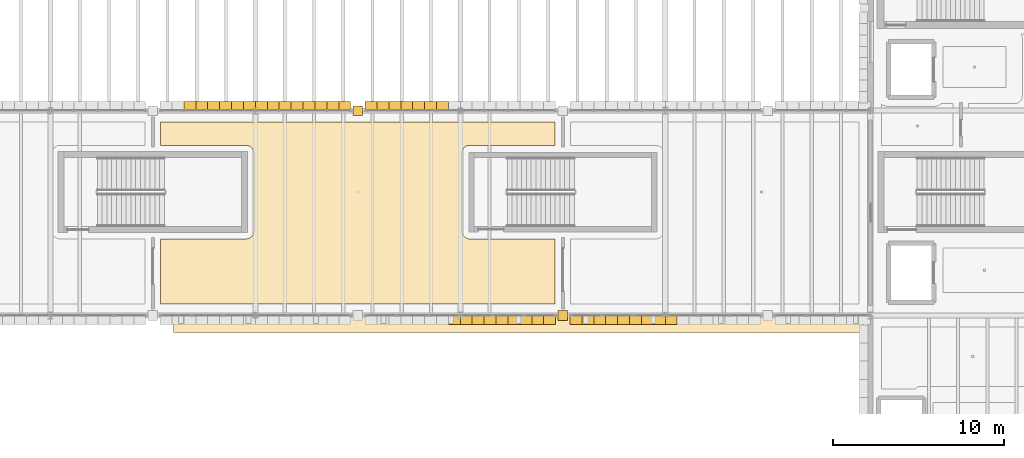
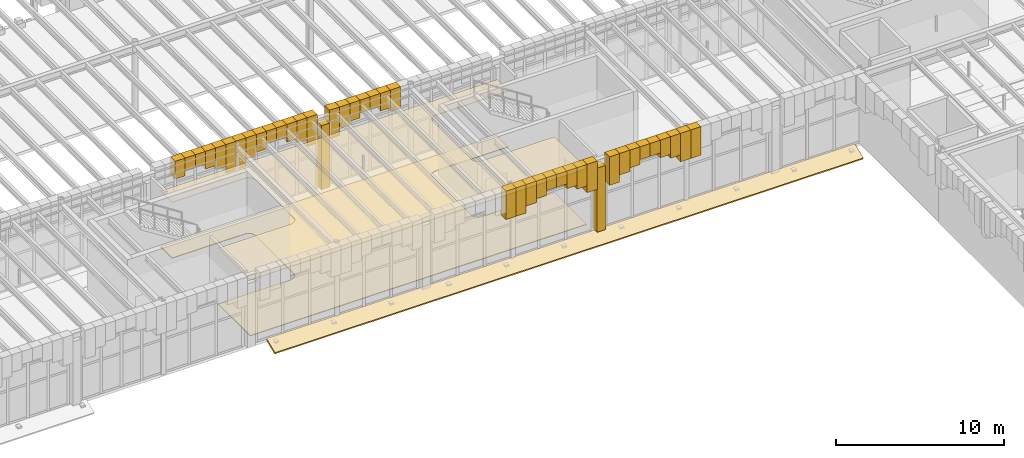
# One storey, part 85 of 100: 44 coverings.
"""IFC4 building model written with IfcOpenShell, lengths in metres."""

from ifc_helpers import new_model, si_unit, direction, frame, origin, place, context, subcontext, project, spatial, polyline, outline, extrude, material, layer, layer_set, type_object, element, save


model = new_model("IFC4")

# Units and contexts
model_context = context("Model", 3, precision=1e-05, world=origin(), true_north=direction((0.0, 1.0)))
body_context = subcontext(model_context, "Body", "Model", "MODEL_VIEW")
ifc_project = project(units=[si_unit("LENGTHUNIT", "METRE"), si_unit("AREAUNIT", "SQUARE_METRE"), si_unit("VOLUMEUNIT", "CUBIC_METRE"), si_unit("PLANEANGLEUNIT", "RADIAN"), si_unit("MASSUNIT", "GRAM", prefix="KILO")], contexts=[model_context])

# Site, building, storey
site_placement = place(None, origin())
site = spatial("IfcSite", under=ifc_project, at=site_placement, CompositionType="ELEMENT")
building_placement = place(site_placement, origin())
building = spatial("IfcBuilding", under=site, at=building_placement, Name="Zlatogorsky Bluff Art Gallery", CompositionType="ELEMENT")
storey_placement = place(building_placement, frame((0.0, 0.0, 5.39990234375)))
storey = spatial("IfcBuildingStorey", under=building, at=storey_placement, Name="L01", CompositionType="ELEMENT", Elevation=5.39990234375)

# Coverings
ifc_material_1 = material(Name="Perforated Gypsum Acoustic Board", Category="gypsum")
ifc_layer_1 = layer(ifc_material_1, 0.0400390625)
ifc_layer_set_1 = layer_set([ifc_layer_1], Name="Acoustic Gallery Ceiling CLG-01")
covering_type_1 = type_object("IfcCoveringType", Name="Acoustic Gallery Ceiling CLG-01", PredefinedType="CEILING", material=ifc_layer_set_1)
covering_1_placement = place(storey_placement, frame((0.0, 0.0, 4.050048828125)))
element("IfcCovering", 1, at=covering_1_placement, inside=storey, type_object=covering_type_1, Name="Sculpture Terrace Gallery acoustic ceiling", PredefinedType="CEILING", context=body_context, shape_type="SweptSolid", body=[
    extrude(outline(polyline([(78.449951171875, 88.489990234375), (83.450927734375, 88.489990234375), (83.495361328125, 88.4921875), (83.539306640625, 88.498779296875), (83.540283203125, 88.498779296875), (83.549560546875, 88.5009765625), (83.550537109375, 88.501220703125), (83.59375, 88.512939453125), (83.6357421875, 88.529296875), (83.637451171875, 88.530029296875), (83.673095703125, 88.5478515625), (83.674072265625, 88.54833984375), (83.706298828125, 88.568115234375), (83.73681640625, 88.59033203125), (83.73828125, 88.591552734375), (83.775390625, 88.624755859375), (83.80859375, 88.661865234375), (83.809814453125, 88.663330078125), (83.83203125, 88.693603515625), (83.851806640625, 88.725830078125), (83.852294921875, 88.726806640625), (83.8701171875, 88.762451171875), (83.870849609375, 88.764404296875), (83.886962890625, 88.80615234375), (83.89892578125, 88.849609375), (83.899169921875, 88.850341796875), (83.901123046875, 88.859619140625), (83.9013671875, 88.860595703125), (83.90771484375, 88.90478515625), (83.909912109375, 88.948974609375), (83.909912109375, 93.5009765625), (83.90771484375, 93.54541015625), (83.9013671875, 93.58935546875), (83.901123046875, 93.59033203125), (83.899169921875, 93.599609375), (83.89892578125, 93.6005859375), (83.886962890625, 93.643798828125), (83.870849609375, 93.685791015625), (83.8701171875, 93.6875), (83.852294921875, 93.72314453125), (83.851806640625, 93.72412109375), (83.83203125, 93.75634765625), (83.809814453125, 93.78662109375), (83.80859375, 93.7880859375), (83.775390625, 93.8251953125), (83.73828125, 93.8583984375), (83.73681640625, 93.859619140625), (83.706298828125, 93.882080078125), (83.674072265625, 93.901611328125), (83.673095703125, 93.902099609375), (83.637451171875, 93.919921875), (83.63671875, 93.92041015625), (83.6357421875, 93.9208984375), (83.59375, 93.93701171875), (83.550537109375, 93.948974609375), (83.549560546875, 93.94921875), (83.540283203125, 93.951171875), (83.539306640625, 93.951416015625), (83.495361328125, 93.957763671875), (83.450927734375, 93.9599609375), (78.449951171875, 93.9599609375), (78.449951171875, 95.330078125), (101.550048828125, 95.330078125), (101.550048828125, 93.9599609375), (96.549072265625, 93.9599609375), (96.504638671875, 93.957763671875), (96.460693359375, 93.951416015625), (96.459716796875, 93.951171875), (96.450439453125, 93.94921875), (96.449462890625, 93.948974609375), (96.40625, 93.93701171875), (96.3642578125, 93.9208984375), (96.36328125, 93.92041015625), (96.362548828125, 93.919921875), (96.326904296875, 93.902099609375), (96.325927734375, 93.901611328125), (96.293701171875, 93.882080078125), (96.26318359375, 93.859619140625), (96.26171875, 93.8583984375), (96.224609375, 93.8251953125), (96.19140625, 93.7880859375), (96.190185546875, 93.78662109375), (96.16796875, 93.75634765625), (96.148193359375, 93.72412109375), (96.147705078125, 93.72314453125), (96.1298828125, 93.6875), (96.129150390625, 93.685791015625), (96.113037109375, 93.643798828125), (96.10107421875, 93.6005859375), (96.100830078125, 93.599609375), (96.098876953125, 93.59033203125), (96.0986328125, 93.58935546875), (96.09228515625, 93.54541015625), (96.090087890625, 93.5009765625), (96.090087890625, 88.948974609375), (96.09228515625, 88.90478515625), (96.0986328125, 88.860595703125), (96.098876953125, 88.859619140625), (96.100830078125, 88.850341796875), (96.10107421875, 88.849609375), (96.113037109375, 88.80615234375), (96.129150390625, 88.764404296875), (96.1298828125, 88.762451171875), (96.147705078125, 88.726806640625), (96.148193359375, 88.725830078125), (96.16796875, 88.693603515625), (96.190185546875, 88.663330078125), (96.19140625, 88.661865234375), (96.224609375, 88.624755859375), (96.26171875, 88.591552734375), (96.26318359375, 88.59033203125), (96.293701171875, 88.568115234375), (96.325927734375, 88.54833984375), (96.326904296875, 88.5478515625), (96.362548828125, 88.530029296875), (96.3642578125, 88.529296875), (96.40625, 88.512939453125), (96.449462890625, 88.501220703125), (96.450439453125, 88.5009765625), (96.459716796875, 88.498779296875), (96.460693359375, 88.498779296875), (96.504638671875, 88.4921875), (96.549072265625, 88.489990234375), (101.550048828125, 88.489990234375), (101.550048828125, 84.669921875), (78.449951171875, 84.669921875), (78.449951171875, 88.489990234375)])), origin(), (0.0, 0.0, 1.0), 0.0400390625),
])
ifc_material_2 = material(Name="Honed Red Agra-Tone Quartzitic Sandstone", Category="masonry")
ifc_layer_2 = layer(ifc_material_2, 0.1201171875)
ifc_layer_set_2 = layer_set([ifc_layer_2], Name="Carved Sandstone Cladding CLD-02")
covering_type_2 = type_object("IfcCoveringType", Name="Carved Sandstone Cladding CLD-02", PredefinedType="CLADDING", material=ifc_layer_set_2)
covering_2_placement = place(storey_placement, frame((0.0, 0.0, 4.076416015625)))
element("IfcCovering", 2, at=covering_2_placement, inside=storey, type_object=covering_type_2, Name="Pointed Mughal arch voussoir spandrel ARCH-CW-L01-N-06-08-A.3", PredefinedType="CLADDING", context=body_context, shape_type="SweptSolid", body=[
    extrude(outline(polyline([(79.81494140625, 95.969970703125), (80.512451171875, 95.969970703125), (80.512451171875, 96.5400390625), (79.81494140625, 96.5400390625), (79.81494140625, 95.969970703125)])), origin(), (0.0, 0.0, 1.0), 1.28369140625),
])
covering_3_placement = place(storey_placement, frame((0.0, 0.0, 4.424560546875)))
element("IfcCovering", 3, at=covering_3_placement, inside=storey, type_object=covering_type_2, Name="Pointed Mughal arch voussoir spandrel ARCH-CW-L01-N-06-08-A.4", PredefinedType="CLADDING", context=body_context, shape_type="SweptSolid", body=[
    extrude(outline(polyline([(80.512451171875, 95.969970703125), (81.2099609375, 95.969970703125), (81.2099609375, 96.5400390625), (80.512451171875, 96.5400390625), (80.512451171875, 95.969970703125)])), origin(), (0.0, 0.0, 1.0), 0.935546875),
])
covering_4_placement = place(storey_placement, frame((0.0, 0.0, 4.424560546875)))
element("IfcCovering", 4, at=covering_4_placement, inside=storey, type_object=covering_type_2, Name="Pointed Mughal arch voussoir spandrel ARCH-CW-L01-N-06-08-A.5", PredefinedType="CLADDING", context=body_context, shape_type="SweptSolid", body=[
    extrude(outline(polyline([(81.2099609375, 95.969970703125), (81.907470703125, 95.969970703125), (81.907470703125, 96.5400390625), (81.2099609375, 96.5400390625), (81.2099609375, 95.969970703125)])), origin(), (0.0, 0.0, 1.0), 0.935546875),
])
covering_5_placement = place(storey_placement, frame((0.0, 0.0, 4.076416015625)))
element("IfcCovering", 5, at=covering_5_placement, inside=storey, type_object=covering_type_2, Name="Pointed Mughal arch voussoir spandrel ARCH-CW-L01-N-06-08-A.6", PredefinedType="CLADDING", context=body_context, shape_type="SweptSolid", body=[
    extrude(outline(polyline([(81.907470703125, 95.969970703125), (82.60498046875, 95.969970703125), (82.60498046875, 96.5400390625), (81.907470703125, 96.5400390625), (81.907470703125, 95.969970703125)])), origin(), (0.0, 0.0, 1.0), 1.28369140625),
])
covering_6_placement = place(storey_placement, frame((0.0, 0.0, 3.7998046875)))
element("IfcCovering", 6, at=covering_6_placement, inside=storey, type_object=covering_type_2, Name="Pointed Mughal arch voussoir spandrel ARCH-CW-L01-N-06-08-A.7", PredefinedType="CLADDING", context=body_context, shape_type="SweptSolid", body=[
    extrude(outline(polyline([(82.60498046875, 95.969970703125), (83.302490234375, 95.969970703125), (83.302490234375, 96.5400390625), (82.60498046875, 96.5400390625), (82.60498046875, 95.969970703125)])), origin(), (0.0, 0.0, 1.0), 1.560302734375),
])
covering_7_placement = place(storey_placement, frame((0.0, 0.0, 3.2978515625)))
element("IfcCovering", 7, at=covering_7_placement, inside=storey, type_object=covering_type_2, Name="Pointed Mughal arch voussoir spandrel ARCH-CW-L01-N-06-08-A.8", PredefinedType="CLADDING", context=body_context, shape_type="SweptSolid", body=[
    extrude(outline(polyline([(83.302490234375, 95.969970703125), (84.0, 95.969970703125), (84.0, 96.5400390625), (83.302490234375, 96.5400390625), (83.302490234375, 95.969970703125)])), origin(), (0.0, 0.0, 1.0), 2.062255859375),
])
covering_8_placement = place(storey_placement, frame((0.0, 0.0, 3.2978515625)))
element("IfcCovering", 8, at=covering_8_placement, inside=storey, type_object=covering_type_2, Name="Pointed Mughal arch voussoir spandrel ARCH-CW-L01-S-07-08-B.8", PredefinedType="CLADDING", context=body_context, shape_type="SweptSolid", body=[
    extrude(outline(polyline([(95.302490234375, 83.4599609375), (96.0, 83.4599609375), (96.0, 84.030029296875), (95.302490234375, 84.030029296875), (95.302490234375, 83.4599609375)])), origin(), (0.0, 0.0, 1.0), 2.062255859375),
])
covering_9_placement = place(storey_placement, frame((0.0, 0.0, -0.02978515625)))
element("IfcCovering", 9, at=covering_9_placement, inside=storey, type_object=covering_type_2, Name="Mughal dalan central sandstone pier L01 N 7.8", PredefinedType="CLADDING", context=body_context, shape_type="SweptSolid", body=[
    extrude(outline(polyline([(89.719970703125, 95.719970703125), (90.280029296875, 95.719970703125), (90.280029296875, 96.280029296875), (89.719970703125, 96.280029296875), (89.719970703125, 95.719970703125)])), origin(), (0.0, 0.0, 1.0), 4.659912109375),
])
covering_10_placement = place(storey_placement, frame((0.0, 0.0, 3.2978515625)))
element("IfcCovering", 10, at=covering_10_placement, inside=storey, type_object=covering_type_2, Name="Pointed Mughal arch voussoir spandrel ARCH-CW-L01-N-07-08-A.1", PredefinedType="CLADDING", context=body_context, shape_type="SweptSolid", body=[
    extrude(outline(polyline([(90.419921875, 95.969970703125), (91.117431640625, 95.969970703125), (91.117431640625, 96.5400390625), (90.419921875, 96.5400390625), (90.419921875, 95.969970703125)])), origin(), (0.0, 0.0, 1.0), 2.062255859375),
])
covering_11_placement = place(storey_placement, frame((0.0, 0.0, 3.7998046875)))
element("IfcCovering", 11, at=covering_11_placement, inside=storey, type_object=covering_type_2, Name="Pointed Mughal arch voussoir spandrel ARCH-CW-L01-N-07-08-A.2", PredefinedType="CLADDING", context=body_context, shape_type="SweptSolid", body=[
    extrude(outline(polyline([(91.117431640625, 95.969970703125), (91.81494140625, 95.969970703125), (91.81494140625, 96.5400390625), (91.117431640625, 96.5400390625), (91.117431640625, 95.969970703125)])), origin(), (0.0, 0.0, 1.0), 1.560302734375),
])
covering_12_placement = place(storey_placement, frame((0.0, 0.0, 4.076416015625)))
element("IfcCovering", 12, at=covering_12_placement, inside=storey, type_object=covering_type_2, Name="Pointed Mughal arch voussoir spandrel ARCH-CW-L01-N-07-08-A.3", PredefinedType="CLADDING", context=body_context, shape_type="SweptSolid", body=[
    extrude(outline(polyline([(91.81494140625, 95.969970703125), (92.512451171875, 95.969970703125), (92.512451171875, 96.5400390625), (91.81494140625, 96.5400390625), (91.81494140625, 95.969970703125)])), origin(), (0.0, 0.0, 1.0), 1.28369140625),
])
covering_13_placement = place(storey_placement, frame((0.0, 0.0, 4.424560546875)))
element("IfcCovering", 13, at=covering_13_placement, inside=storey, type_object=covering_type_2, Name="Pointed Mughal arch voussoir spandrel ARCH-CW-L01-N-07-08-A.4", PredefinedType="CLADDING", context=body_context, shape_type="SweptSolid", body=[
    extrude(outline(polyline([(92.512451171875, 95.969970703125), (93.2099609375, 95.969970703125), (93.2099609375, 96.5400390625), (92.512451171875, 96.5400390625), (92.512451171875, 95.969970703125)])), origin(), (0.0, 0.0, 1.0), 0.935546875),
])
covering_14_placement = place(storey_placement, frame((0.0, 0.0, 4.424560546875)))
element("IfcCovering", 14, at=covering_14_placement, inside=storey, type_object=covering_type_2, Name="Pointed Mughal arch voussoir spandrel ARCH-CW-L01-N-07-08-A.5", PredefinedType="CLADDING", context=body_context, shape_type="SweptSolid", body=[
    extrude(outline(polyline([(93.2099609375, 95.969970703125), (93.907470703125, 95.969970703125), (93.907470703125, 96.5400390625), (93.2099609375, 96.5400390625), (93.2099609375, 95.969970703125)])), origin(), (0.0, 0.0, 1.0), 0.935546875),
])
covering_15_placement = place(storey_placement, frame((0.0, 0.0, 4.076416015625)))
element("IfcCovering", 15, at=covering_15_placement, inside=storey, type_object=covering_type_2, Name="Pointed Mughal arch voussoir spandrel ARCH-CW-L01-N-07-08-A.6", PredefinedType="CLADDING", context=body_context, shape_type="SweptSolid", body=[
    extrude(outline(polyline([(93.907470703125, 95.969970703125), (94.60498046875, 95.969970703125), (94.60498046875, 96.5400390625), (93.907470703125, 96.5400390625), (93.907470703125, 95.969970703125)])), origin(), (0.0, 0.0, 1.0), 1.28369140625),
])
covering_16_placement = place(storey_placement, frame((0.0, 0.0, 3.7998046875)))
element("IfcCovering", 16, at=covering_16_placement, inside=storey, type_object=covering_type_2, Name="Pointed Mughal arch voussoir spandrel ARCH-CW-L01-N-07-08-A.7", PredefinedType="CLADDING", context=body_context, shape_type="SweptSolid", body=[
    extrude(outline(polyline([(94.60498046875, 95.969970703125), (95.302490234375, 95.969970703125), (95.302490234375, 96.5400390625), (94.60498046875, 96.5400390625), (94.60498046875, 95.969970703125)])), origin(), (0.0, 0.0, 1.0), 1.560302734375),
])
covering_17_placement = place(storey_placement, frame((0.0, 0.0, 3.2978515625)))
element("IfcCovering", 17, at=covering_17_placement, inside=storey, type_object=covering_type_2, Name="Pointed Mughal arch voussoir spandrel ARCH-CW-L01-N-07-08-B.1", PredefinedType="CLADDING", context=body_context, shape_type="SweptSolid", body=[
    extrude(outline(polyline([(84.0, 95.969970703125), (84.697509765625, 95.969970703125), (84.697509765625, 96.5400390625), (84.0, 96.5400390625), (84.0, 95.969970703125)])), origin(), (0.0, 0.0, 1.0), 2.062255859375),
])
covering_18_placement = place(storey_placement, frame((0.0, 0.0, 3.7998046875)))
element("IfcCovering", 18, at=covering_18_placement, inside=storey, type_object=covering_type_2, Name="Pointed Mughal arch voussoir spandrel ARCH-CW-L01-N-07-08-B.2", PredefinedType="CLADDING", context=body_context, shape_type="SweptSolid", body=[
    extrude(outline(polyline([(84.697509765625, 95.969970703125), (85.39501953125, 95.969970703125), (85.39501953125, 96.5400390625), (84.697509765625, 96.5400390625), (84.697509765625, 95.969970703125)])), origin(), (0.0, 0.0, 1.0), 1.560302734375),
])
covering_19_placement = place(storey_placement, frame((0.0, 0.0, 4.076416015625)))
element("IfcCovering", 19, at=covering_19_placement, inside=storey, type_object=covering_type_2, Name="Pointed Mughal arch voussoir spandrel ARCH-CW-L01-N-07-08-B.3", PredefinedType="CLADDING", context=body_context, shape_type="SweptSolid", body=[
    extrude(outline(polyline([(85.39501953125, 95.969970703125), (86.092529296875, 95.969970703125), (86.092529296875, 96.5400390625), (85.39501953125, 96.5400390625), (85.39501953125, 95.969970703125)])), origin(), (0.0, 0.0, 1.0), 1.28369140625),
])
covering_20_placement = place(storey_placement, frame((0.0, 0.0, 4.424560546875)))
element("IfcCovering", 20, at=covering_20_placement, inside=storey, type_object=covering_type_2, Name="Pointed Mughal arch voussoir spandrel ARCH-CW-L01-N-07-08-B.4", PredefinedType="CLADDING", context=body_context, shape_type="SweptSolid", body=[
    extrude(outline(polyline([(86.092529296875, 95.969970703125), (86.7900390625, 95.969970703125), (86.7900390625, 96.5400390625), (86.092529296875, 96.5400390625), (86.092529296875, 95.969970703125)])), origin(), (0.0, 0.0, 1.0), 0.935546875),
])
covering_21_placement = place(storey_placement, frame((0.0, 0.0, 4.424560546875)))
element("IfcCovering", 21, at=covering_21_placement, inside=storey, type_object=covering_type_2, Name="Pointed Mughal arch voussoir spandrel ARCH-CW-L01-N-07-08-B.5", PredefinedType="CLADDING", context=body_context, shape_type="SweptSolid", body=[
    extrude(outline(polyline([(86.7900390625, 95.969970703125), (87.487548828125, 95.969970703125), (87.487548828125, 96.5400390625), (86.7900390625, 96.5400390625), (86.7900390625, 95.969970703125)])), origin(), (0.0, 0.0, 1.0), 0.935546875),
])
covering_22_placement = place(storey_placement, frame((0.0, 0.0, 4.076416015625)))
element("IfcCovering", 22, at=covering_22_placement, inside=storey, type_object=covering_type_2, Name="Pointed Mughal arch voussoir spandrel ARCH-CW-L01-N-07-08-B.6", PredefinedType="CLADDING", context=body_context, shape_type="SweptSolid", body=[
    extrude(outline(polyline([(87.487548828125, 95.969970703125), (88.18505859375, 95.969970703125), (88.18505859375, 96.5400390625), (87.487548828125, 96.5400390625), (87.487548828125, 95.969970703125)])), origin(), (0.0, 0.0, 1.0), 1.28369140625),
])
covering_23_placement = place(storey_placement, frame((0.0, 0.0, 3.7998046875)))
element("IfcCovering", 23, at=covering_23_placement, inside=storey, type_object=covering_type_2, Name="Pointed Mughal arch voussoir spandrel ARCH-CW-L01-N-07-08-B.7", PredefinedType="CLADDING", context=body_context, shape_type="SweptSolid", body=[
    extrude(outline(polyline([(88.18505859375, 95.969970703125), (88.882568359375, 95.969970703125), (88.882568359375, 96.5400390625), (88.18505859375, 96.5400390625), (88.18505859375, 95.969970703125)])), origin(), (0.0, 0.0, 1.0), 1.560302734375),
])
covering_24_placement = place(storey_placement, frame((0.0, 0.0, 3.2978515625)))
element("IfcCovering", 24, at=covering_24_placement, inside=storey, type_object=covering_type_2, Name="Pointed Mughal arch voussoir spandrel ARCH-CW-L01-N-07-08-B.8", PredefinedType="CLADDING", context=body_context, shape_type="SweptSolid", body=[
    extrude(outline(polyline([(88.882568359375, 95.969970703125), (89.580078125, 95.969970703125), (89.580078125, 96.5400390625), (88.882568359375, 96.5400390625), (88.882568359375, 95.969970703125)])), origin(), (0.0, 0.0, 1.0), 2.062255859375),
])
covering_25_placement = place(storey_placement, frame((0.0, 0.0, -0.02978515625)))
element("IfcCovering", 25, at=covering_25_placement, inside=storey, type_object=covering_type_2, Name="Mughal dalan central sandstone pier L01 S 8.8", PredefinedType="CLADDING", context=body_context, shape_type="SweptSolid", body=[
    extrude(outline(polyline([(101.719970703125, 83.719970703125), (102.280029296875, 83.719970703125), (102.280029296875, 84.280029296875), (101.719970703125, 84.280029296875), (101.719970703125, 83.719970703125)])), origin(), (0.0, 0.0, 1.0), 4.659912109375),
])
covering_26_placement = place(storey_placement, frame((0.0, 0.0, 3.2978515625)))
element("IfcCovering", 26, at=covering_26_placement, inside=storey, type_object=covering_type_2, Name="Pointed Mughal arch voussoir spandrel ARCH-CW-L01-S-08-08-A.1", PredefinedType="CLADDING", context=body_context, shape_type="SweptSolid", body=[
    extrude(outline(polyline([(96.0, 83.4599609375), (96.697509765625, 83.4599609375), (96.697509765625, 84.030029296875), (96.0, 84.030029296875), (96.0, 83.4599609375)])), origin(), (0.0, 0.0, 1.0), 2.062255859375),
])
covering_27_placement = place(storey_placement, frame((0.0, 0.0, 3.7998046875)))
element("IfcCovering", 27, at=covering_27_placement, inside=storey, type_object=covering_type_2, Name="Pointed Mughal arch voussoir spandrel ARCH-CW-L01-S-08-08-A.2", PredefinedType="CLADDING", context=body_context, shape_type="SweptSolid", body=[
    extrude(outline(polyline([(96.697509765625, 83.4599609375), (97.39501953125, 83.4599609375), (97.39501953125, 84.030029296875), (96.697509765625, 84.030029296875), (96.697509765625, 83.4599609375)])), origin(), (0.0, 0.0, 1.0), 1.560302734375),
])
covering_28_placement = place(storey_placement, frame((0.0, 0.0, 4.076416015625)))
element("IfcCovering", 28, at=covering_28_placement, inside=storey, type_object=covering_type_2, Name="Pointed Mughal arch voussoir spandrel ARCH-CW-L01-S-08-08-A.3", PredefinedType="CLADDING", context=body_context, shape_type="SweptSolid", body=[
    extrude(outline(polyline([(97.39501953125, 83.4599609375), (98.092529296875, 83.4599609375), (98.092529296875, 84.030029296875), (97.39501953125, 84.030029296875), (97.39501953125, 83.4599609375)])), origin(), (0.0, 0.0, 1.0), 1.28369140625),
])
covering_29_placement = place(storey_placement, frame((0.0, 0.0, 4.424560546875)))
element("IfcCovering", 29, at=covering_29_placement, inside=storey, type_object=covering_type_2, Name="Pointed Mughal arch voussoir spandrel ARCH-CW-L01-S-08-08-A.4", PredefinedType="CLADDING", context=body_context, shape_type="SweptSolid", body=[
    extrude(outline(polyline([(98.092529296875, 83.4599609375), (98.7900390625, 83.4599609375), (98.7900390625, 84.030029296875), (98.092529296875, 84.030029296875), (98.092529296875, 83.4599609375)])), origin(), (0.0, 0.0, 1.0), 0.935546875),
])
covering_30_placement = place(storey_placement, frame((0.0, 0.0, 4.424560546875)))
element("IfcCovering", 30, at=covering_30_placement, inside=storey, type_object=covering_type_2, Name="Pointed Mughal arch voussoir spandrel ARCH-CW-L01-S-08-08-A.5", PredefinedType="CLADDING", context=body_context, shape_type="SweptSolid", body=[
    extrude(outline(polyline([(98.7900390625, 83.4599609375), (99.487548828125, 83.4599609375), (99.487548828125, 84.030029296875), (98.7900390625, 84.030029296875), (98.7900390625, 83.4599609375)])), origin(), (0.0, 0.0, 1.0), 0.935546875),
])
covering_31_placement = place(storey_placement, frame((0.0, 0.0, 4.076416015625)))
element("IfcCovering", 31, at=covering_31_placement, inside=storey, type_object=covering_type_2, Name="Pointed Mughal arch voussoir spandrel ARCH-CW-L01-S-08-08-A.6", PredefinedType="CLADDING", context=body_context, shape_type="SweptSolid", body=[
    extrude(outline(polyline([(99.487548828125, 83.4599609375), (100.18505859375, 83.4599609375), (100.18505859375, 84.030029296875), (99.487548828125, 84.030029296875), (99.487548828125, 83.4599609375)])), origin(), (0.0, 0.0, 1.0), 1.28369140625),
])
covering_32_placement = place(storey_placement, frame((0.0, 0.0, 3.7998046875)))
element("IfcCovering", 32, at=covering_32_placement, inside=storey, type_object=covering_type_2, Name="Pointed Mughal arch voussoir spandrel ARCH-CW-L01-S-08-08-A.7", PredefinedType="CLADDING", context=body_context, shape_type="SweptSolid", body=[
    extrude(outline(polyline([(100.18505859375, 83.4599609375), (100.882568359375, 83.4599609375), (100.882568359375, 84.030029296875), (100.18505859375, 84.030029296875), (100.18505859375, 83.4599609375)])), origin(), (0.0, 0.0, 1.0), 1.560302734375),
])
covering_33_placement = place(storey_placement, frame((0.0, 0.0, 3.2978515625)))
element("IfcCovering", 33, at=covering_33_placement, inside=storey, type_object=covering_type_2, Name="Pointed Mughal arch voussoir spandrel ARCH-CW-L01-S-08-08-A.8", PredefinedType="CLADDING", context=body_context, shape_type="SweptSolid", body=[
    extrude(outline(polyline([(100.882568359375, 83.4599609375), (101.580078125, 83.4599609375), (101.580078125, 84.030029296875), (100.882568359375, 84.030029296875), (100.882568359375, 83.4599609375)])), origin(), (0.0, 0.0, 1.0), 2.062255859375),
])
covering_34_placement = place(storey_placement, frame((0.0, 0.0, 3.2978515625)))
element("IfcCovering", 34, at=covering_34_placement, inside=storey, type_object=covering_type_2, Name="Pointed Mughal arch voussoir spandrel ARCH-CW-L01-S-08-08-B.1", PredefinedType="CLADDING", context=body_context, shape_type="SweptSolid", body=[
    extrude(outline(polyline([(102.419921875, 83.4599609375), (103.117431640625, 83.4599609375), (103.117431640625, 84.030029296875), (102.419921875, 84.030029296875), (102.419921875, 83.4599609375)])), origin(), (0.0, 0.0, 1.0), 2.062255859375),
])
covering_35_placement = place(storey_placement, frame((0.0, 0.0, 3.7998046875)))
element("IfcCovering", 35, at=covering_35_placement, inside=storey, type_object=covering_type_2, Name="Pointed Mughal arch voussoir spandrel ARCH-CW-L01-S-08-08-B.2", PredefinedType="CLADDING", context=body_context, shape_type="SweptSolid", body=[
    extrude(outline(polyline([(103.117431640625, 83.4599609375), (103.81494140625, 83.4599609375), (103.81494140625, 84.030029296875), (103.117431640625, 84.030029296875), (103.117431640625, 83.4599609375)])), origin(), (0.0, 0.0, 1.0), 1.560302734375),
])
covering_36_placement = place(storey_placement, frame((0.0, 0.0, 4.076416015625)))
element("IfcCovering", 36, at=covering_36_placement, inside=storey, type_object=covering_type_2, Name="Pointed Mughal arch voussoir spandrel ARCH-CW-L01-S-08-08-B.3", PredefinedType="CLADDING", context=body_context, shape_type="SweptSolid", body=[
    extrude(outline(polyline([(103.81494140625, 83.4599609375), (104.512451171875, 83.4599609375), (104.512451171875, 84.030029296875), (103.81494140625, 84.030029296875), (103.81494140625, 83.4599609375)])), origin(), (0.0, 0.0, 1.0), 1.28369140625),
])
covering_37_placement = place(storey_placement, frame((0.0, 0.0, 4.424560546875)))
element("IfcCovering", 37, at=covering_37_placement, inside=storey, type_object=covering_type_2, Name="Pointed Mughal arch voussoir spandrel ARCH-CW-L01-S-08-08-B.4", PredefinedType="CLADDING", context=body_context, shape_type="SweptSolid", body=[
    extrude(outline(polyline([(104.512451171875, 83.4599609375), (105.2099609375, 83.4599609375), (105.2099609375, 84.030029296875), (104.512451171875, 84.030029296875), (104.512451171875, 83.4599609375)])), origin(), (0.0, 0.0, 1.0), 0.935546875),
])
covering_38_placement = place(storey_placement, frame((0.0, 0.0, 4.424560546875)))
element("IfcCovering", 38, at=covering_38_placement, inside=storey, type_object=covering_type_2, Name="Pointed Mughal arch voussoir spandrel ARCH-CW-L01-S-08-08-B.5", PredefinedType="CLADDING", context=body_context, shape_type="SweptSolid", body=[
    extrude(outline(polyline([(105.2099609375, 83.4599609375), (105.907470703125, 83.4599609375), (105.907470703125, 84.030029296875), (105.2099609375, 84.030029296875), (105.2099609375, 83.4599609375)])), origin(), (0.0, 0.0, 1.0), 0.935546875),
])
covering_39_placement = place(storey_placement, frame((0.0, 0.0, 4.076416015625)))
element("IfcCovering", 39, at=covering_39_placement, inside=storey, type_object=covering_type_2, Name="Pointed Mughal arch voussoir spandrel ARCH-CW-L01-S-08-08-B.6", PredefinedType="CLADDING", context=body_context, shape_type="SweptSolid", body=[
    extrude(outline(polyline([(105.907470703125, 83.4599609375), (106.60498046875, 83.4599609375), (106.60498046875, 84.030029296875), (105.907470703125, 84.030029296875), (105.907470703125, 83.4599609375)])), origin(), (0.0, 0.0, 1.0), 1.28369140625),
])
covering_40_placement = place(storey_placement, frame((0.0, 0.0, 3.7998046875)))
element("IfcCovering", 40, at=covering_40_placement, inside=storey, type_object=covering_type_2, Name="Pointed Mughal arch voussoir spandrel ARCH-CW-L01-S-08-08-B.7", PredefinedType="CLADDING", context=body_context, shape_type="SweptSolid", body=[
    extrude(outline(polyline([(106.60498046875, 83.4599609375), (107.302490234375, 83.4599609375), (107.302490234375, 84.030029296875), (106.60498046875, 84.030029296875), (106.60498046875, 83.4599609375)])), origin(), (0.0, 0.0, 1.0), 1.560302734375),
])
covering_41_placement = place(storey_placement, frame((0.0, 0.0, 3.2978515625)))
element("IfcCovering", 41, at=covering_41_placement, inside=storey, type_object=covering_type_2, Name="Pointed Mughal arch voussoir spandrel ARCH-CW-L01-S-08-08-B.8", PredefinedType="CLADDING", context=body_context, shape_type="SweptSolid", body=[
    extrude(outline(polyline([(107.302490234375, 83.4599609375), (108.0, 83.4599609375), (108.0, 84.030029296875), (107.302490234375, 84.030029296875), (107.302490234375, 83.4599609375)])), origin(), (0.0, 0.0, 1.0), 2.062255859375),
])
covering_42_placement = place(storey_placement, frame((0.0, 0.0, 3.2978515625)))
element("IfcCovering", 42, at=covering_42_placement, inside=storey, type_object=covering_type_2, Name="Pointed Mughal arch voussoir spandrel ARCH-CW-L01-S-09-08-A.1", PredefinedType="CLADDING", context=body_context, shape_type="SweptSolid", body=[
    extrude(outline(polyline([(108.0, 83.4599609375), (108.697509765625, 83.4599609375), (108.697509765625, 84.030029296875), (108.0, 84.030029296875), (108.0, 83.4599609375)])), origin(), (0.0, 0.0, 1.0), 2.062255859375),
])
covering_43_placement = place(storey_placement, frame((119.60009765625, 84.0400390625, -0.039794921875), z_axis=(0.0, -0.380872241927, 0.924627673893), x_axis=(-1.0, 0.0, 0.0)))
element("IfcCovering", 43, at=covering_43_placement, inside=storey, type_object=covering_type_2, Name="Projecting sloped Mughal chhajja stone eave CHJ-COURT-E-L01", PredefinedType="CLADDING", context=body_context, shape_type="SweptSolid", body=[
    extrude(outline(polyline([(0.0, 0.0), (40.400146484375, 0.0), (40.400146484375, 1.1031678588581422), (0.0, 1.1031678588581422), (0.0, 0.0)])), origin(), (0.0, 0.0, -1.0), 0.139892578125),
])
ifc_material_3 = material(Name="Polished Ural Marble Terrazzo", Category="masonry")
ifc_layer_3 = layer(ifc_material_3, 0.050048828125)
ifc_layer_set_3 = layer_set([ifc_layer_3], Name="Terrazzo Gallery Flooring FLR-01")
covering_type_3 = type_object("IfcCoveringType", Name="Terrazzo Gallery Flooring FLR-01", PredefinedType="FLOORING", material=ifc_layer_set_3)
covering_44_placement = place(storey_placement, origin())
element("IfcCovering", 44, at=covering_44_placement, inside=storey, type_object=covering_type_3, Name="Sculpture Terrace Gallery terrazzo floor finish", PredefinedType="FLOORING", context=body_context, shape_type="SweptSolid", body=[
    extrude(outline(polyline([(78.449951171875, 88.489990234375), (83.450927734375, 88.489990234375), (83.495361328125, 88.4921875), (83.539306640625, 88.498779296875), (83.540283203125, 88.498779296875), (83.549560546875, 88.5009765625), (83.550537109375, 88.501220703125), (83.59375, 88.512939453125), (83.6357421875, 88.529296875), (83.637451171875, 88.530029296875), (83.673095703125, 88.5478515625), (83.674072265625, 88.54833984375), (83.706298828125, 88.568115234375), (83.73681640625, 88.59033203125), (83.73828125, 88.591552734375), (83.775390625, 88.624755859375), (83.80859375, 88.661865234375), (83.809814453125, 88.663330078125), (83.83203125, 88.693603515625), (83.851806640625, 88.725830078125), (83.852294921875, 88.726806640625), (83.8701171875, 88.762451171875), (83.870849609375, 88.764404296875), (83.886962890625, 88.80615234375), (83.89892578125, 88.849609375), (83.899169921875, 88.850341796875), (83.901123046875, 88.859619140625), (83.9013671875, 88.860595703125), (83.90771484375, 88.90478515625), (83.909912109375, 88.948974609375), (83.909912109375, 93.5009765625), (83.90771484375, 93.54541015625), (83.9013671875, 93.58935546875), (83.901123046875, 93.59033203125), (83.899169921875, 93.599609375), (83.89892578125, 93.6005859375), (83.886962890625, 93.643798828125), (83.870849609375, 93.685791015625), (83.8701171875, 93.6875), (83.852294921875, 93.72314453125), (83.851806640625, 93.72412109375), (83.83203125, 93.75634765625), (83.809814453125, 93.78662109375), (83.80859375, 93.7880859375), (83.775390625, 93.8251953125), (83.73828125, 93.8583984375), (83.73681640625, 93.859619140625), (83.706298828125, 93.882080078125), (83.674072265625, 93.901611328125), (83.673095703125, 93.902099609375), (83.637451171875, 93.919921875), (83.63671875, 93.92041015625), (83.6357421875, 93.9208984375), (83.59375, 93.93701171875), (83.550537109375, 93.948974609375), (83.549560546875, 93.94921875), (83.540283203125, 93.951171875), (83.539306640625, 93.951416015625), (83.495361328125, 93.957763671875), (83.450927734375, 93.9599609375), (78.449951171875, 93.9599609375), (78.449951171875, 95.330078125), (101.550048828125, 95.330078125), (101.550048828125, 93.9599609375), (96.549072265625, 93.9599609375), (96.504638671875, 93.957763671875), (96.460693359375, 93.951416015625), (96.459716796875, 93.951171875), (96.450439453125, 93.94921875), (96.449462890625, 93.948974609375), (96.40625, 93.93701171875), (96.3642578125, 93.9208984375), (96.36328125, 93.92041015625), (96.362548828125, 93.919921875), (96.326904296875, 93.902099609375), (96.325927734375, 93.901611328125), (96.293701171875, 93.882080078125), (96.26318359375, 93.859619140625), (96.26171875, 93.8583984375), (96.224609375, 93.8251953125), (96.19140625, 93.7880859375), (96.190185546875, 93.78662109375), (96.16796875, 93.75634765625), (96.148193359375, 93.72412109375), (96.147705078125, 93.72314453125), (96.1298828125, 93.6875), (96.129150390625, 93.685791015625), (96.113037109375, 93.643798828125), (96.10107421875, 93.6005859375), (96.100830078125, 93.599609375), (96.098876953125, 93.59033203125), (96.0986328125, 93.58935546875), (96.09228515625, 93.54541015625), (96.090087890625, 93.5009765625), (96.090087890625, 88.948974609375), (96.09228515625, 88.90478515625), (96.0986328125, 88.860595703125), (96.098876953125, 88.859619140625), (96.100830078125, 88.850341796875), (96.10107421875, 88.849609375), (96.113037109375, 88.80615234375), (96.129150390625, 88.764404296875), (96.1298828125, 88.762451171875), (96.147705078125, 88.726806640625), (96.148193359375, 88.725830078125), (96.16796875, 88.693603515625), (96.190185546875, 88.663330078125), (96.19140625, 88.661865234375), (96.224609375, 88.624755859375), (96.26171875, 88.591552734375), (96.26318359375, 88.59033203125), (96.293701171875, 88.568115234375), (96.325927734375, 88.54833984375), (96.326904296875, 88.5478515625), (96.362548828125, 88.530029296875), (96.3642578125, 88.529296875), (96.40625, 88.512939453125), (96.449462890625, 88.501220703125), (96.450439453125, 88.5009765625), (96.459716796875, 88.498779296875), (96.460693359375, 88.498779296875), (96.504638671875, 88.4921875), (96.549072265625, 88.489990234375), (101.550048828125, 88.489990234375), (101.550048828125, 84.669921875), (78.449951171875, 84.669921875), (78.449951171875, 88.489990234375)])), origin(), (0.0, 0.0, 1.0), 0.050048828125),
])

save(model, "model.ifc")
